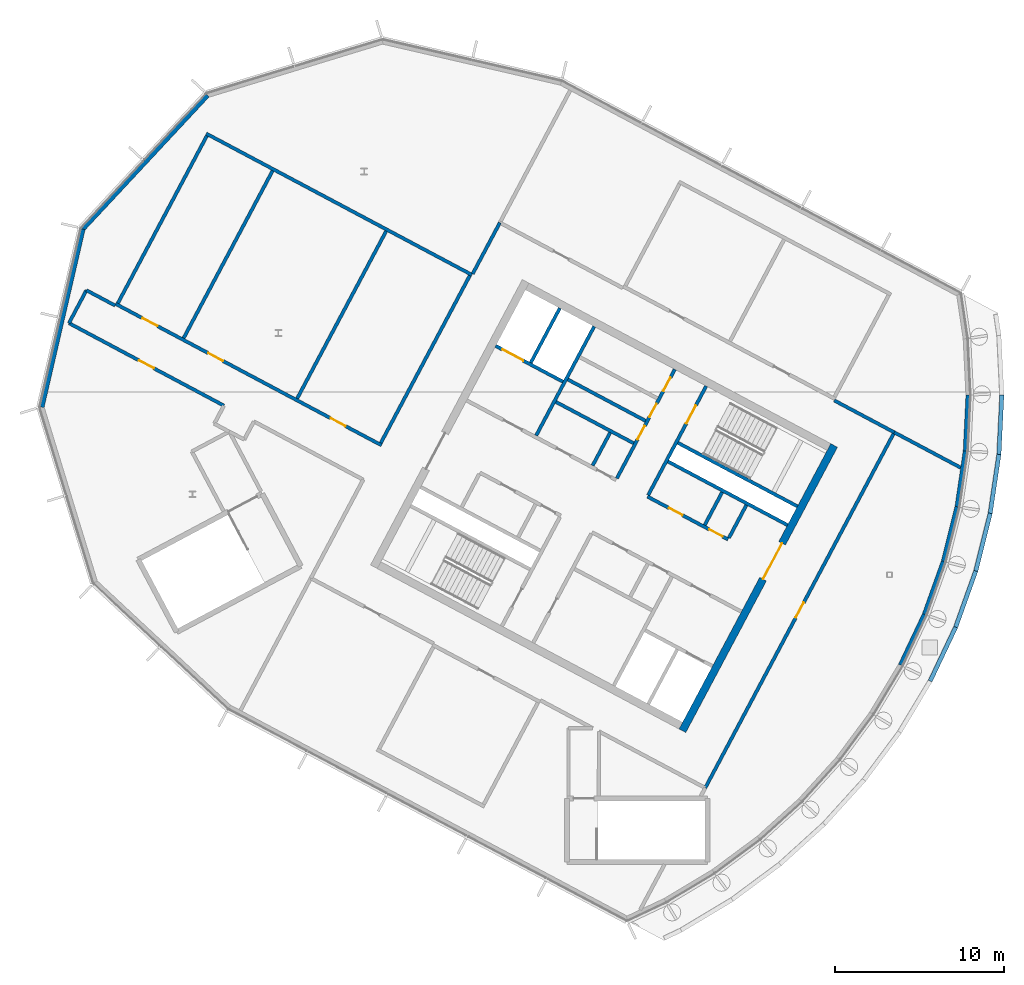
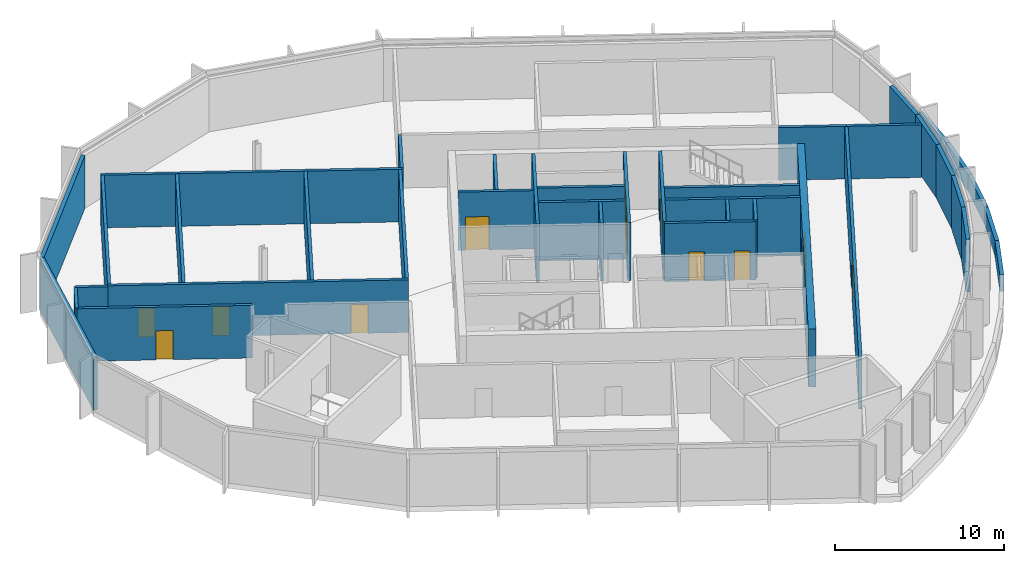
# One storey, part 7 of 13: 39 walls, 13 doors, 13 openings.
"""IFC4 building model written with IfcOpenShell, lengths in metres."""

from ifc_helpers import new_model, si_unit, direction, frame, frame_2d, origin, place, context, subcontext, project, spatial, rectangle, extrude, material, layer, layer_set, type_object, element, fill, save


model = new_model("IFC4")

# Units and contexts
model_context = context("Model", 3, precision=1e-05, world=origin(), true_north=direction((0.0, 1.0)))
body_context = subcontext(model_context, "Body", "Model", "MODEL_VIEW")
ifc_project = project(units=[si_unit("LENGTHUNIT", "METRE"), si_unit("AREAUNIT", "SQUARE_METRE"), si_unit("VOLUMEUNIT", "CUBIC_METRE"), si_unit("PLANEANGLEUNIT", "RADIAN"), si_unit("MASSUNIT", "GRAM", prefix="KILO")], contexts=[model_context])

# Site, building, storey
site_placement = place(None, origin())
site = spatial("IfcSite", under=ifc_project, at=site_placement, CompositionType="ELEMENT")
building_placement = place(site_placement, origin())
building = spatial("IfcBuilding", under=site, at=building_placement, Name="Cormorant Relay Tower", CompositionType="ELEMENT")
storey_placement = place(building_placement, frame((0.0, 0.0, 353.39990234375)))
storey = spatial("IfcBuildingStorey", under=building, at=storey_placement, Name="C7", CompositionType="ELEMENT", Elevation=353.39990234375)

# Walls
ifc_material_1 = material(Name="Concrete 40 MPa", Category="concrete")
ifc_layer_1 = layer(ifc_material_1, 0.199951171875)
ifc_layer_set_1 = layer_set([ifc_layer_1], Name="Core internal wall 200")
wall_type_1 = type_object("IfcWallType", Name="Core internal wall 200", PredefinedType="SOLIDWALL", material=ifc_layer_set_1)
for number, where, z_axis, x_axis, name in (
    (1, (-20.39013671875, 15.371826171875, 0.0), (0.0, 0.0, 1.0), (-0.4694473164, -0.882960484464, 0.0), "C7 core A shaft and room wall"),
    (2, (-27.01220703125, 18.892822265625, 0.0), (0.0, 0.0, 1.0), (-0.4694473164, -0.882960484464, 0.0), "C7 core A shaft and room wall"),
):
    element("IfcWall", number, at=place(storey_placement, frame(where, z_axis=z_axis, x_axis=x_axis)), inside=storey, type_object=wall_type_1, Name=name, PredefinedType="SOLIDWALL", context=body_context, shape_type="SweptSolid", body=[
        extrude(rectangle(XDim=2.199951171875, YDim=0.199951171875, at=frame_2d((1.10009765625, 0.0))), origin(), (0.0, 0.0, 1.0), 4.2001953125),
    ])
wall_1_placement = place(storey_placement, frame((-24.9189453125, 19.592041015625, 0.0), z_axis=(0.0, 0.0, 1.0), x_axis=(-0.882953967957, 0.469459572775, 0.0)))
element("IfcWall", 3, at=wall_1_placement, inside=storey, type_object=wall_type_1, Name="C7 core A shaft and room wall", PredefinedType="SOLIDWALL", context=body_context, shape_type="SweptSolid", body=[
    extrude(rectangle(XDim=5.199951171875, YDim=0.199951171875, at=frame_2d((2.60009765625, 0.0))), origin(), (0.0, 0.0, 1.0), 4.2001953125),
])
ifc_material_2 = material(Name="Concrete 50 MPa", Category="concrete")
ifc_layer_2 = layer(ifc_material_2, 0.199951171875)
ifc_layer_set_2 = layer_set([ifc_layer_2], Name="Core shaft wall 200")
wall_type_2 = type_object("IfcWallType", Name="Core shaft wall 200", PredefinedType="SHEAR", material=ifc_layer_set_2)
wall_2_placement = place(storey_placement, frame((-18.959716796875, 14.611328125, 0.0), z_axis=(0.0, 0.0, 1.0), x_axis=(-0.4694473164, -0.882960484464, 0.0)))
element("IfcWall", 4, at=wall_2_placement, inside=storey, type_object=wall_type_2, Name="C7 core A shaft wall", PredefinedType="SHEAR", context=body_context, shape_type="SweptSolid", body=[
    extrude(rectangle(XDim=2.199951171875, YDim=0.199951171875, at=frame_2d((1.10009765625, 0.0))), origin(), (0.0, 0.0, 1.0), 4.2001953125),
])

# Wall, opening, door
wall_3_placement = place(storey_placement, frame((-21.333251953125, 21.6494140625, 0.0), z_axis=(0.0, 0.0, 1.0), x_axis=(-0.469494272526, -0.882935517501, 0.0)))
wall_3 = element("IfcWall", 5, at=wall_3_placement, inside=storey, type_object=wall_type_2, Name="C7 core A shaft wall", PredefinedType="SHEAR", context=body_context, shape_type="SweptSolid", body=[
    extrude(rectangle(XDim=7.2998046875, YDim=0.199951171875, at=frame_2d((3.64990234375, 0.0))), origin(), (0.0, 0.0, 1.0), 4.2001953125),
])
opening_1_placement = place(wall_3_placement, frame((1.300048828125, 0.0, 0.0)))
opening_1 = element("IfcOpeningElement", 6, at=opening_1_placement, cuts=wall_3, Name="Opening CDB-044", PredefinedType="OPENING", context=body_context, shape_type="SweptSolid", body=[
    extrude(rectangle(XDim=1.199951171875, YDim=2.10009765625, at=frame_2d((0.60009765625, 1.050048828125))), frame((0.0, 0.10986328125, 0.0), z_axis=(0.0, -1.0, 0.0), x_axis=(1.0, 0.0, 0.0)), (0.0, 0.0, 1.0), 0.219970703125),
])
ifc_material_3 = material(Name="Steel fire door", Category="steel")
door_type_1 = type_object("IfcDoorType", Name="Core stair door 1200x2100", OperationType="SINGLE_SWING_LEFT", PredefinedType="DOOR", material=ifc_material_3)
door_1_placement = place(opening_1_placement, origin())
door_1 = element("IfcDoor", 7, at=door_1_placement, inside=storey, type_object=door_type_1, Name="Core stair door 1200x2100", OperationType="SINGLE_SWING_RIGHT", OverallHeight=2.10009765625, OverallWidth=1.199951171875, PredefinedType="DOOR", context=body_context, shape_type="SweptSolid", body=[
    extrude(rectangle(XDim=1.199951171875, YDim=2.10009765625, at=frame_2d((0.60009765625, 1.050048828125))), frame((0.0, 0.02490234375, 0.0), z_axis=(0.0, -1.0, 0.0), x_axis=(1.0, 0.0, 0.0)), (0.0, 0.0, 1.0), 0.050048828125),
])
fill(opening_1, door_1)

# Wall, openings, doors
wall_4_placement = place(storey_placement, frame((-23.1875, 22.635498046875, 0.0), z_axis=(0.0, 0.0, 1.0), x_axis=(-0.469454336211, -0.882956752176, 0.0)))
wall_4 = element("IfcWall", 8, at=wall_4_placement, inside=storey, type_object=wall_type_2, Name="C7 core A shaft wall", PredefinedType="SHEAR", context=body_context, shape_type="SweptSolid", body=[
    extrude(rectangle(XDim=7.300048828125, YDim=0.199951171875, at=frame_2d((3.64990234375, 0.0))), origin(), (0.0, 0.0, 1.0), 4.2001953125),
])
opening_2_placement = place(wall_4_placement, frame((0.550048828125, 0.0, 0.0)))
opening_2 = element("IfcOpeningElement", 9, at=opening_2_placement, cuts=wall_4, Name="Opening CDD-360", PredefinedType="OPENING", context=body_context, shape_type="SweptSolid", body=[
    extrude(rectangle(XDim=0.89990234375, YDim=2.10009765625, at=frame_2d((0.449951171875, 1.050048828125))), frame((0.0, 0.10986328125, 0.0), z_axis=(0.0, -1.0, 0.0), x_axis=(1.0, 0.0, 0.0)), (0.0, 0.0, 1.0), 0.219970703125),
])
opening_3_placement = place(wall_4_placement, frame((2.300048828125, 0.0, 0.0)))
opening_3 = element("IfcOpeningElement", 10, at=opening_3_placement, cuts=wall_4, Name="Opening CDD-361", PredefinedType="OPENING", context=body_context, shape_type="SweptSolid", body=[
    extrude(rectangle(XDim=0.89990234375, YDim=2.10009765625, at=frame_2d((0.449951171875, 1.050048828125))), frame((0.0, 0.10986328125, 0.0), z_axis=(0.0, -1.0, 0.0), x_axis=(1.0, 0.0, 0.0)), (0.0, 0.0, 1.0), 0.219970703125),
])
opening_4_placement = place(wall_4_placement, frame((3.800048828125, 0.0, 0.0)))
opening_4 = element("IfcOpeningElement", 11, at=opening_4_placement, cuts=wall_4, Name="Opening CDD-362", PredefinedType="OPENING", context=body_context, shape_type="SweptSolid", body=[
    extrude(rectangle(XDim=0.89990234375, YDim=2.10009765625, at=frame_2d((0.449951171875, 1.050048828125))), frame((0.0, 0.10986328125, 0.0), z_axis=(0.0, -1.0, 0.0), x_axis=(1.0, 0.0, 0.0)), (0.0, 0.0, 1.0), 0.219970703125),
])
ifc_material_4 = material(Name="Steel fire door", Category="steel")
door_type_2 = type_object("IfcDoorType", Name="Core room door 900x2100", OperationType="SINGLE_SWING_LEFT", PredefinedType="DOOR", material=ifc_material_4)
door_2_placement = place(opening_2_placement, frame((0.89990234375, 0.0, 0.0), z_axis=(0.0, 0.0, 1.0), x_axis=(-1.0, 0.0, 0.0)))
door_2 = element("IfcDoor", 12, at=door_2_placement, inside=storey, type_object=door_type_2, Name="Core room door 900x2100", OperationType="SINGLE_SWING_LEFT", OverallHeight=2.10009765625, OverallWidth=0.89990234375, PredefinedType="DOOR", context=body_context, shape_type="SweptSolid", body=[
    extrude(rectangle(XDim=0.89990234375, YDim=2.10009765625, at=frame_2d((0.449951171875, 1.050048828125))), frame((0.0, 0.02490234375, 0.0), z_axis=(0.0, -1.0, 0.0), x_axis=(1.0, 0.0, 0.0)), (0.0, 0.0, 1.0), 0.050048828125),
])
fill(opening_2, door_2)
door_3_placement = place(opening_3_placement, frame((0.89990234375, 0.0, 0.0), z_axis=(0.0, 0.0, 1.0), x_axis=(-1.0, 0.0, 0.0)))
door_3 = element("IfcDoor", 13, at=door_3_placement, inside=storey, type_object=door_type_2, Name="Core room door 900x2100", OperationType="SINGLE_SWING_RIGHT", OverallHeight=2.10009765625, OverallWidth=0.89990234375, PredefinedType="DOOR", context=body_context, shape_type="SweptSolid", body=[
    extrude(rectangle(XDim=0.89990234375, YDim=2.10009765625, at=frame_2d((0.449951171875, 1.050048828125))), frame((0.0, 0.02490234375, 0.0), z_axis=(0.0, -1.0, 0.0), x_axis=(1.0, 0.0, 0.0)), (0.0, 0.0, 1.0), 0.050048828125),
])
fill(opening_3, door_3)
door_4_placement = place(opening_4_placement, origin())
door_4 = element("IfcDoor", 14, at=door_4_placement, inside=storey, type_object=door_type_2, Name="Core room door 900x2100", OperationType="SINGLE_SWING_LEFT", OverallHeight=2.10009765625, OverallWidth=0.89990234375, PredefinedType="DOOR", context=body_context, shape_type="SweptSolid", body=[
    extrude(rectangle(XDim=0.89990234375, YDim=2.10009765625, at=frame_2d((0.449951171875, 1.050048828125))), frame((0.0, 0.02490234375, 0.0), z_axis=(0.0, -1.0, 0.0), x_axis=(1.0, 0.0, 0.0)), (0.0, 0.0, 1.0), 0.050048828125),
])
fill(opening_4, door_4)

# Walls
wall_5_placement = place(storey_placement, frame((-27.955322265625, 25.170654296875, 0.0), z_axis=(0.0, 0.0, 1.0), x_axis=(-0.469480409012, -0.88294288918, 0.0)))
element("IfcWall", 15, at=wall_5_placement, inside=storey, type_object=wall_type_2, Name="C7 core A shaft wall", PredefinedType="SHEAR", context=body_context, shape_type="SweptSolid", body=[
    extrude(rectangle(XDim=7.300048828125, YDim=0.199951171875, at=frame_2d((3.64990234375, 0.0))), origin(), (0.0, 0.0, 1.0), 4.2001953125),
])
wall_6_placement = place(storey_placement, frame((-29.986083984375, 26.250244140625, 0.0), z_axis=(0.0, 0.0, 1.0), x_axis=(-0.469494272526, -0.882935517501, 0.0)))
element("IfcWall", 16, at=wall_6_placement, inside=storey, type_object=wall_type_2, Name="C7 core A shaft wall", PredefinedType="SHEAR", context=body_context, shape_type="SweptSolid", body=[
    extrude(rectangle(XDim=3.64990234375, YDim=0.199951171875, at=frame_2d((1.824951171875, 0.0))), origin(), (0.0, 0.0, 1.0), 4.2001953125),
])
wall_7_placement = place(storey_placement, frame((-15.94189453125, 14.53564453125, 0.0), z_axis=(0.0, 0.0, 1.0), x_axis=(-0.882946947542, 0.469472776449, 0.0)))
element("IfcWall", 17, at=wall_7_placement, inside=storey, type_object=wall_type_2, Name="C7 core A shaft wall", PredefinedType="SHEAR", context=body_context, shape_type="SweptSolid", body=[
    extrude(rectangle(XDim=8.000244140625, YDim=0.199951171875, at=frame_2d((4.0, 0.0))), origin(), (0.0, 0.0, 1.0), 4.2001953125),
])

# Wall, opening, door
wall_8_placement = place(storey_placement, frame((-29.80419921875, 21.906494140625, 0.0), z_axis=(0.0, 0.0, 1.0), x_axis=(-0.882960433586, 0.469447412093, 0.0)))
wall_8 = element("IfcWall", 18, at=wall_8_placement, inside=storey, type_object=wall_type_2, Name="C7 core A shaft wall", PredefinedType="SHEAR", context=body_context, shape_type="SweptSolid", body=[
    extrude(rectangle(XDim=4.5, YDim=0.199951171875, at=frame_2d((2.25, 0.0))), origin(), (0.0, 0.0, 1.0), 4.2001953125),
])
opening_5_placement = place(wall_8_placement, frame((2.64990234375, 0.0, 0.0)))
opening_5 = element("IfcOpeningElement", 19, at=opening_5_placement, cuts=wall_8, Name="Opening LD3-017", PredefinedType="OPENING", context=body_context, shape_type="SweptSolid", body=[
    extrude(rectangle(XDim=1.39990234375, YDim=2.39990234375, at=frame_2d((0.699951171875, 1.199951171875))), frame((0.0, 0.10986328125, 0.0), z_axis=(0.0, -1.0, 0.0), x_axis=(1.0, 0.0, 0.0)), (0.0, 0.0, 1.0), 0.219970703125),
])
ifc_material_5 = material(Name="Stainless steel 316", Category="steel")
door_type_3 = type_object("IfcDoorType", Name="Lift landing door 1400x2400", OperationType="DOUBLE_DOOR_SLIDING", PredefinedType="DOOR", material=ifc_material_5)
door_5_placement = place(opening_5_placement, origin())
door_5 = element("IfcDoor", 20, at=door_5_placement, inside=storey, type_object=door_type_3, Name="SV1 landing door", OperationType="DOUBLE_DOOR_SLIDING", OverallHeight=2.39990234375, OverallWidth=1.39990234375, PredefinedType="DOOR", context=body_context, shape_type="SweptSolid", body=[
    extrude(rectangle(XDim=1.39990234375, YDim=2.39990234375, at=frame_2d((0.699951171875, 1.199951171875))), frame((0.0, 0.02490234375, 0.0), z_axis=(0.0, -1.0, 0.0), x_axis=(1.0, 0.0, 0.0)), (0.0, 0.0, 1.0), 0.050048828125),
])
fill(opening_5, door_5)

# Walls
wall_9_placement = place(storey_placement, frame((-16.52880859375, 13.43212890625, 0.0), z_axis=(0.0, 0.0, 1.0), x_axis=(-0.88295287151, 0.469461634952, 0.0)))
element("IfcWall", 21, at=wall_9_placement, inside=storey, type_object=wall_type_2, Name="C7 core A shaft wall", PredefinedType="SHEAR", context=body_context, shape_type="SweptSolid", body=[
    extrude(rectangle(XDim=7.999755859375, YDim=0.199951171875, at=frame_2d((4.0, 0.0))), origin(), (0.0, 0.0, 1.0), 4.2001953125),
])
wall_10_placement = place(storey_placement, frame((-25.623046875, 18.267578125, 0.0), z_axis=(0.0, 0.0, 1.0), x_axis=(-0.882953967957, 0.469459572775, 0.0)))
element("IfcWall", 22, at=wall_10_placement, inside=storey, type_object=wall_type_2, Name="C7 core A shaft wall", PredefinedType="SHEAR", context=body_context, shape_type="SweptSolid", body=[
    extrude(rectangle(XDim=5.199951171875, YDim=0.199951171875, at=frame_2d((2.60009765625, 0.0))), origin(), (0.0, 0.0, 1.0), 4.2001953125),
])

# Wall, openings, doors
wall_11_placement = place(storey_placement, frame((-20.03955078125, 12.58056640625, 0.0), z_axis=(0.0, 0.0, 1.0), x_axis=(-0.882942972946, 0.469480251476, 0.0)))
wall_11 = element("IfcWall", 23, at=wall_11_placement, inside=storey, type_object=wall_type_2, Name="C7 core A shaft wall", PredefinedType="SHEAR", context=body_context, shape_type="SweptSolid", body=[
    extrude(rectangle(XDim=5.39990234375, YDim=0.199951171875, at=frame_2d((2.699951171875, 0.0))), origin(), (0.0, 0.0, 1.0), 4.2001953125),
])
opening_6_placement = place(wall_11_placement, frame((0.360107421875, 0.0, 0.0)))
opening_6 = element("IfcOpeningElement", 24, at=opening_6_placement, cuts=wall_11, Name="Opening CDD-356", PredefinedType="OPENING", context=body_context, shape_type="SweptSolid", body=[
    extrude(rectangle(XDim=0.89990234375, YDim=2.10009765625, at=frame_2d((0.449951171875, 1.050048828125))), frame((0.0, 0.10986328125, 0.0), z_axis=(0.0, -1.0, 0.0), x_axis=(1.0, 0.0, 0.0)), (0.0, 0.0, 1.0), 0.219970703125),
])
opening_7_placement = place(wall_11_placement, frame((3.06005859375, 0.0, 0.0)))
opening_7 = element("IfcOpeningElement", 25, at=opening_7_placement, cuts=wall_11, Name="Opening CDD-357", PredefinedType="OPENING", context=body_context, shape_type="SweptSolid", body=[
    extrude(rectangle(XDim=0.89990234375, YDim=2.10009765625, at=frame_2d((0.449951171875, 1.050048828125))), frame((0.0, 0.10986328125, 0.0), z_axis=(0.0, -1.0, 0.0), x_axis=(1.0, 0.0, 0.0)), (0.0, 0.0, 1.0), 0.219970703125),
])
door_6_placement = place(opening_6_placement, frame((0.89990234375, 0.0, 0.0), z_axis=(0.0, 0.0, 1.0), x_axis=(-1.0, 0.0, 0.0)))
door_6 = element("IfcDoor", 26, at=door_6_placement, inside=storey, type_object=door_type_2, Name="Core room door 900x2100", OperationType="SINGLE_SWING_RIGHT", OverallHeight=2.10009765625, OverallWidth=0.89990234375, PredefinedType="DOOR", context=body_context, shape_type="SweptSolid", body=[
    extrude(rectangle(XDim=0.89990234375, YDim=2.10009765625, at=frame_2d((0.449951171875, 1.050048828125))), frame((0.0, 0.02490234375, 0.0), z_axis=(0.0, -1.0, 0.0), x_axis=(1.0, 0.0, 0.0)), (0.0, 0.0, 1.0), 0.050048828125),
])
fill(opening_6, door_6)
door_7_placement = place(opening_7_placement, frame((0.89990234375, 0.0, 0.0), z_axis=(0.0, 0.0, 1.0), x_axis=(-1.0, 0.0, 0.0)))
door_7 = element("IfcDoor", 27, at=door_7_placement, inside=storey, type_object=door_type_2, Name="Core room door 900x2100", OperationType="SINGLE_SWING_RIGHT", OverallHeight=2.10009765625, OverallWidth=0.89990234375, PredefinedType="DOOR", context=body_context, shape_type="SweptSolid", body=[
    extrude(rectangle(XDim=0.89990234375, YDim=2.10009765625, at=frame_2d((0.449951171875, 1.050048828125))), frame((0.0, 0.02490234375, 0.0), z_axis=(0.0, -1.0, 0.0), x_axis=(1.0, 0.0, 0.0)), (0.0, 0.0, 1.0), 0.050048828125),
])
fill(opening_7, door_7)

# Wall, opening, door
ifc_material_6 = material(Name="Concrete 50 MPa", Category="concrete")
ifc_layer_3 = layer(ifc_material_6, 0.449951171875)
ifc_layer_set_3 = layer_set([ifc_layer_3], Name="Core wall 450")
wall_type_3 = type_object("IfcWallType", Name="Core wall 450", PredefinedType="SHEAR", material=ifc_layer_set_3)
wall_12_placement = place(storey_placement, frame((-13.771484375, 18.138427734375, 0.0), z_axis=(0.0, 0.0, 1.0), x_axis=(-0.469467968382, -0.882949504028, 0.0)))
wall_12 = element("IfcWall", 28, at=wall_12_placement, inside=storey, type_object=wall_type_3, Name="C7 core A wall", PredefinedType="SHEAR", context=body_context, shape_type="SweptSolid", body=[
    extrude(rectangle(XDim=19.099853515625, YDim=0.449951171875, at=frame_2d((9.5498046875, 0.0))), origin(), (0.0, 0.0, 1.0), 4.2001953125),
])
opening_8_placement = place(wall_12_placement, frame((6.550048828125, 0.0, 0.0)))
opening_8 = element("IfcOpeningElement", 29, at=opening_8_placement, cuts=wall_12, Name="Opening CDA-058", PredefinedType="OPENING", context=body_context, shape_type="SweptSolid", body=[
    extrude(rectangle(XDim=2.39990234375, YDim=2.39990234375, at=frame_2d((1.199951171875, 1.199951171875))), frame((0.0, 0.23486328125, 0.0), z_axis=(0.0, -1.0, 0.0), x_axis=(1.0, 0.0, 0.0)), (0.0, 0.0, 1.0), 0.469970703125),
])
ifc_material_7 = material(Name="Steel fire door", Category="steel")
door_type_4 = type_object("IfcDoorType", Name="Core lobby door 2400x2400", OperationType="DOUBLE_DOOR_SINGLE_SWING", PredefinedType="DOOR", material=ifc_material_7)
door_8_placement = place(opening_8_placement, frame((2.39990234375, 0.0, 0.0), z_axis=(0.0, 0.0, 1.0), x_axis=(-1.0, 0.0, 0.0)))
door_8 = element("IfcDoor", 30, at=door_8_placement, inside=storey, type_object=door_type_4, Name="Core lobby door 2400x2400", OperationType="DOUBLE_DOOR_SINGLE_SWING", OverallHeight=2.39990234375, OverallWidth=2.39990234375, PredefinedType="DOOR", context=body_context, shape_type="SweptSolid", body=[
    extrude(rectangle(XDim=2.39990234375, YDim=2.39990234375, at=frame_2d((1.199951171875, 1.199951171875))), frame((0.0, 0.02490234375, 0.0), z_axis=(0.0, -1.0, 0.0), x_axis=(1.0, 0.0, 0.0)), (0.0, 0.0, 1.0), 0.050048828125),
])
fill(opening_8, door_8)

# Wall
ifc_material_8 = material(Name="Concrete 30 MPa block wall", Category="concrete")
ifc_layer_4 = layer(ifc_material_8, 0.199951171875)
ifc_layer_set_4 = layer_set([ifc_layer_4], Name="Crown plant room wall 200")
wall_type_4 = type_object("IfcWallType", Name="Crown plant room wall 200", PredefinedType="PARTITIONING", material=ifc_layer_set_4)
wall_13_placement = place(storey_placement, frame((-35.1708984375, 28.21435546875, 0.0), z_axis=(0.0, 0.0, 1.0), x_axis=(-0.882952110828, 0.469463065622, 0.0)))
element("IfcWall", 31, at=wall_13_placement, inside=storey, type_object=wall_type_4, Name="Plant room wall", PredefinedType="PARTITIONING", context=body_context, shape_type="SweptSolid", body=[
    extrude(rectangle(XDim=17.800048828125, YDim=0.199951171875, at=frame_2d((8.89990234375, 0.0))), origin(), (0.0, 0.0, 1.0), 3.7998046875),
])

# Wall, openings, doors
wall_14_placement = place(storey_placement, frame((-40.52294921875, 18.148681640625, 0.0), z_axis=(0.0, 0.0, 1.0), x_axis=(-0.882946425434, 0.469473758387, 0.0)))
wall_14 = element("IfcWall", 32, at=wall_14_placement, inside=storey, type_object=wall_type_4, Name="Plant room wall", PredefinedType="PARTITIONING", context=body_context, shape_type="SweptSolid", body=[
    extrude(rectangle(XDim=17.800048828125, YDim=0.199951171875, at=frame_2d((8.89990234375, 0.0))), origin(), (0.0, 0.0, 1.0), 3.7998046875),
])
opening_9_placement = place(wall_14_placement, frame((2.39990234375, 0.0, 0.0)))
opening_9 = element("IfcOpeningElement", 33, at=opening_9_placement, cuts=wall_14, Name="Opening CRD1-003", PredefinedType="OPENING", context=body_context, shape_type="SweptSolid", body=[
    extrude(rectangle(XDim=1.0, YDim=2.10009765625, at=frame_2d((0.5, 1.050048828125))), frame((0.0, 0.10986328125, 0.0), z_axis=(0.0, -1.0, 0.0), x_axis=(1.0, 0.0, 0.0)), (0.0, 0.0, 1.0), 0.219970703125),
])
opening_10_placement = place(wall_14_placement, frame((10.60009765625, 0.0, 0.0)))
opening_10 = element("IfcOpeningElement", 34, at=opening_10_placement, cuts=wall_14, Name="Opening CRD1-004", PredefinedType="OPENING", context=body_context, shape_type="SweptSolid", body=[
    extrude(rectangle(XDim=1.0, YDim=2.10009765625, at=frame_2d((0.5, 1.050048828125))), frame((0.0, 0.10986328125, 0.0), z_axis=(0.0, -1.0, 0.0), x_axis=(1.0, 0.0, 0.0)), (0.0, 0.0, 1.0), 0.219970703125),
])
opening_11_placement = place(wall_14_placement, frame((15.0, 0.0, 0.0)))
opening_11 = element("IfcOpeningElement", 35, at=opening_11_placement, cuts=wall_14, Name="Opening CRD1-005", PredefinedType="OPENING", context=body_context, shape_type="SweptSolid", body=[
    extrude(rectangle(XDim=1.0, YDim=2.10009765625, at=frame_2d((0.5, 1.050048828125))), frame((0.0, 0.10986328125, 0.0), z_axis=(0.0, -1.0, 0.0), x_axis=(1.0, 0.0, 0.0)), (0.0, 0.0, 1.0), 0.219970703125),
])
ifc_material_9 = material(Name="Galvanised sheet steel ASTM A653 framed door leaf", Category="steel")
door_type_5 = type_object("IfcDoorType", Name="Crown door single 1000", OperationType="SINGLE_SWING_LEFT", PredefinedType="DOOR", material=ifc_material_9)
door_9_placement = place(opening_9_placement, frame((1.0, 0.0, 0.0), z_axis=(0.0, 0.0, 1.0), x_axis=(-1.0, 0.0, 0.0)))
door_9 = element("IfcDoor", 36, at=door_9_placement, inside=storey, type_object=door_type_5, Name="Antenna feeder room door", OperationType="SINGLE_SWING_RIGHT", OverallHeight=2.10009765625, OverallWidth=1.0, PredefinedType="DOOR", context=body_context, shape_type="SweptSolid", body=[
    extrude(rectangle(XDim=1.0, YDim=2.10009765625, at=frame_2d((0.5, 1.050048828125))), frame((0.0, 0.02490234375, 0.0), z_axis=(0.0, -1.0, 0.0), x_axis=(1.0, 0.0, 0.0)), (0.0, 0.0, 1.0), 0.050048828125),
])
fill(opening_9, door_9)
door_10_placement = place(opening_10_placement, frame((1.0, 0.0, 0.0), z_axis=(0.0, 0.0, 1.0), x_axis=(-1.0, 0.0, 0.0)))
door_10 = element("IfcDoor", 37, at=door_10_placement, inside=storey, type_object=door_type_5, Name="Antenna base room door", OperationType="SINGLE_SWING_RIGHT", OverallHeight=2.10009765625, OverallWidth=1.0, PredefinedType="DOOR", context=body_context, shape_type="SweptSolid", body=[
    extrude(rectangle(XDim=1.0, YDim=2.10009765625, at=frame_2d((0.5, 1.050048828125))), frame((0.0, 0.02490234375, 0.0), z_axis=(0.0, -1.0, 0.0), x_axis=(1.0, 0.0, 0.0)), (0.0, 0.0, 1.0), 0.050048828125),
])
fill(opening_10, door_10)
door_11_placement = place(opening_11_placement, frame((1.0, 0.0, 0.0), z_axis=(0.0, 0.0, 1.0), x_axis=(-1.0, 0.0, 0.0)))
door_11 = element("IfcDoor", 38, at=door_11_placement, inside=storey, type_object=door_type_5, Name="Radio frequency room door", OperationType="SINGLE_SWING_RIGHT", OverallHeight=2.10009765625, OverallWidth=1.0, PredefinedType="DOOR", context=body_context, shape_type="SweptSolid", body=[
    extrude(rectangle(XDim=1.0, YDim=2.10009765625, at=frame_2d((0.5, 1.050048828125))), frame((0.0, 0.02490234375, 0.0), z_axis=(0.0, -1.0, 0.0), x_axis=(1.0, 0.0, 0.0)), (0.0, 0.0, 1.0), 0.050048828125),
])
fill(opening_11, door_11)

# Walls
for number, where, z_axis, x_axis, name in (
    (39, (-35.306396484375, 28.173095703125, 0.0), (0.0, 0.0, 1.0), (-0.469447393298, -0.882960443579, 0.0), "Plant room wall"),
    (40, (-40.250732421875, 30.802001953125, 0.0), (0.0, 0.0, 1.0), (-0.469473423128, -0.882946603695, 0.0), "Plant room wall"),
):
    element("IfcWall", number, at=place(storey_placement, frame(where, z_axis=z_axis, x_axis=x_axis)), inside=storey, type_object=wall_type_4, Name=name, PredefinedType="PARTITIONING", context=body_context, shape_type="SweptSolid", body=[
        extrude(rectangle(XDim=11.199951171875, YDim=0.199951171875, at=frame_2d((5.60009765625, 0.0))), origin(), (0.0, 0.0, 1.0), 3.7998046875),
    ])
for number, where, z_axis, x_axis, name in (
    (41, (-46.961181640625, 34.3701171875, 0.0), (0.0, 0.0, 1.0), (-0.46946438738, -0.882951408052, 0.0), "Plant room wall"),
    (42, (-50.84619140625, 36.435791015625, 0.0), (0.0, 0.0, 1.0), (-0.46946438738, -0.882951408052, 0.0), "Plant room wall"),
):
    element("IfcWall", number, at=place(storey_placement, frame(where, z_axis=z_axis, x_axis=x_axis)), inside=storey, type_object=wall_type_4, Name=name, PredefinedType="PARTITIONING", context=body_context, shape_type="SweptSolid", body=[
        extrude(rectangle(XDim=11.2001953125, YDim=0.199951171875, at=frame_2d((5.60009765625, 0.0))), origin(), (0.0, 0.0, 1.0), 3.7998046875),
    ])
wall_15_placement = place(storey_placement, frame((-57.964111328125, 27.30908203125, 0.0), z_axis=(0.0, 0.0, 1.0), x_axis=(0.882957622595, -0.46945269911, 0.0)))
element("IfcWall", 43, at=wall_15_placement, inside=storey, type_object=wall_type_4, Name="Plant room wall", PredefinedType="PARTITIONING", context=body_context, shape_type="SweptSolid", body=[
    extrude(rectangle(XDim=1.919921875, YDim=0.199951171875, at=frame_2d((0.9599609375, 0.0))), origin(), (0.0, 0.0, 1.0), 3.7998046875),
])
wall_16_placement = place(storey_placement, frame((-35.13330078125, 28.284912109375, 0.0), z_axis=(0.0, 0.0, 1.0), x_axis=(0.469431829014, 0.882968718533, 0.0)))
element("IfcWall", 44, at=wall_16_placement, inside=storey, type_object=wall_type_4, Name="Plant room wall", PredefinedType="PARTITIONING", context=body_context, shape_type="SweptSolid", body=[
    extrude(rectangle(XDim=3.419921875, YDim=0.199951171875, at=frame_2d((1.7099609375, 0.0))), origin(), (0.0, 0.0, 1.0), 3.7998046875),
])

# Wall, opening, door
wall_17_placement = place(storey_placement, frame((-49.83740234375, 20.49169921875, 0.0), z_axis=(0.0, 0.0, 1.0), x_axis=(-0.882753842136, 0.469835773643, 0.0)))
wall_17 = element("IfcWall", 45, at=wall_17_placement, inside=storey, type_object=wall_type_4, Name="Plant room wall", PredefinedType="PARTITIONING", context=body_context, shape_type="SweptSolid", body=[
    extrude(rectangle(XDim=10.3759765625, YDim=0.199951171875, at=frame_2d((5.18798828125, 0.0))), origin(), (0.0, 0.0, 1.0), 3.7998046875),
])
opening_12_placement = place(wall_17_placement, frame((4.68798828125, 0.0, 0.0)))
opening_12 = element("IfcOpeningElement", 46, at=opening_12_placement, cuts=wall_17, Name="Opening CRD1-007", PredefinedType="OPENING", context=body_context, shape_type="SweptSolid", body=[
    extrude(rectangle(XDim=1.0, YDim=2.10009765625, at=frame_2d((0.5, 1.050048828125))), frame((0.0, 0.10986328125, 0.0), z_axis=(0.0, -1.0, 0.0), x_axis=(1.0, 0.0, 0.0)), (0.0, 0.0, 1.0), 0.219970703125),
])
door_12_placement = place(opening_12_placement, origin())
door_12 = element("IfcDoor", 47, at=door_12_placement, inside=storey, type_object=door_type_5, Name="Equipment hall door", OperationType="SINGLE_SWING_LEFT", OverallHeight=2.10009765625, OverallWidth=1.0, PredefinedType="DOOR", context=body_context, shape_type="SweptSolid", body=[
    extrude(rectangle(XDim=1.0, YDim=2.10009765625, at=frame_2d((0.5, 1.050048828125))), frame((0.0, 0.02490234375, 0.0), z_axis=(0.0, -1.0, 0.0), x_axis=(1.0, 0.0, 0.0)), (0.0, 0.0, 1.0), 0.050048828125),
])
fill(opening_12, door_12)

# Walls
wall_18_placement = place(storey_placement, frame((-58.996826171875, 25.36669921875, 0.0), z_axis=(0.0, 0.0, 1.0), x_axis=(0.4694473164, 0.882960484464, 0.0)))
element("IfcWall", 48, at=wall_18_placement, inside=storey, type_object=wall_type_4, Name="Plant room wall", PredefinedType="PARTITIONING", context=body_context, shape_type="SweptSolid", body=[
    extrude(rectangle(XDim=2.199951171875, YDim=0.199951171875, at=frame_2d((1.10009765625, 0.0))), origin(), (0.0, 0.0, 1.0), 3.7998046875),
])
wall_19_placement = place(storey_placement, frame((-13.767578125, 20.7978515625, 0.0), z_axis=(0.0, 0.0, 1.0), x_axis=(0.882960769226, -0.469446780805, 0.0)))
element("IfcWall", 49, at=wall_19_placement, inside=storey, type_object=wall_type_4, Name="Plant room wall", PredefinedType="PARTITIONING", context=body_context, shape_type="SweptSolid", body=[
    extrude(rectangle(XDim=4.02001953125, YDim=0.199951171875, at=frame_2d((2.010009765625, 0.0))), origin(), (0.0, 0.0, 1.0), 3.7998046875),
])

# Wall, opening, door
wall_20_placement = place(storey_placement, frame((-10.218017578125, 18.91064453125, 0.0), z_axis=(0.0, 0.0, 1.0), x_axis=(-0.469468702847, -0.882949113509, 0.0)))
wall_20 = element("IfcWall", 50, at=wall_20_placement, inside=storey, type_object=wall_type_4, Name="Plant room wall", PredefinedType="PARTITIONING", context=body_context, shape_type="SweptSolid", body=[
    extrude(rectangle(XDim=23.800048828125, YDim=0.199951171875, at=frame_2d((11.89990234375, 0.0))), origin(), (0.0, 0.0, 1.0), 3.7998046875),
])
opening_13_placement = place(wall_20_placement, frame((11.39990234375, 0.0, 0.0)))
opening_13 = element("IfcOpeningElement", 51, at=opening_13_placement, cuts=wall_20, Name="Opening CRD1-015", PredefinedType="OPENING", context=body_context, shape_type="SweptSolid", body=[
    extrude(rectangle(XDim=1.0, YDim=2.10009765625, at=frame_2d((0.5, 1.050048828125))), frame((0.0, 0.10986328125, 0.0), z_axis=(0.0, -1.0, 0.0), x_axis=(1.0, 0.0, 0.0)), (0.0, 0.0, 1.0), 0.219970703125),
])
door_13_placement = place(opening_13_placement, origin())
door_13 = element("IfcDoor", 52, at=door_13_placement, inside=storey, type_object=door_type_5, Name="Radio frequency room door", OperationType="SINGLE_SWING_LEFT", OverallHeight=2.10009765625, OverallWidth=1.0, PredefinedType="DOOR", context=body_context, shape_type="SweptSolid", body=[
    extrude(rectangle(XDim=1.0, YDim=2.10009765625, at=frame_2d((0.5, 1.050048828125))), frame((0.0, 0.02490234375, 0.0), z_axis=(0.0, -1.0, 0.0), x_axis=(1.0, 0.0, 0.0)), (0.0, 0.0, 1.0), 0.050048828125),
])
fill(opening_13, door_13)

# Walls
wall_21_placement = place(storey_placement, frame((-6.292724609375, 16.82470703125, 0.0), z_axis=(0.0, 0.0, 1.0), x_axis=(-0.883072522199, 0.469236529415, 0.0)))
element("IfcWall", 53, at=wall_21_placement, inside=storey, type_object=wall_type_4, Name="Plant room wall", PredefinedType="PARTITIONING", context=body_context, shape_type="SweptSolid", body=[
    extrude(rectangle(XDim=4.464111328125, YDim=0.199951171875, at=frame_2d((2.23193359375, 0.0))), origin(), (0.0, 0.0, 1.0), 3.7998046875),
])
ifc_material_10 = material(Name="Bronze cladding on Concrete 30 MPa block wall", Category="concrete")
ifc_layer_5 = layer(ifc_material_10, 0.25)
ifc_layer_set_5 = layer_set([ifc_layer_5], Name="Crown wall 250")
wall_type_5 = type_object("IfcWallType", Name="Crown wall 250", PredefinedType="STANDARD", material=ifc_layer_set_5)
for number, where, z_axis, x_axis, name in (
    (54, (-60.590576171875, 20.397705078125, 0.0), (0.0, 0.0, 1.0), (0.224943678254, 0.97437176766, 0.0), "Crown wall C7"),
    (55, (-58.160400390625, 30.92431640625, 0.0), (0.0, 0.0, 1.0), (0.681998532518, 0.731353540802, 0.0), "Crown wall C7"),
):
    element("IfcWall", number, at=place(storey_placement, frame(where, z_axis=z_axis, x_axis=x_axis)), inside=storey, type_object=wall_type_5, Name=name, PredefinedType="STANDARD", context=body_context, shape_type="SweptSolid", body=[
        extrude(rectangle(XDim=10.803466796875, YDim=0.25, at=frame_2d((5.40185546875, 0.0))), origin(), (0.0, 0.0, 1.0), 3.7998046875),
    ])
for number, where, z_axis, x_axis, name in (
    (56, (-5.85791015625, 21.126220703125, 0.0), (0.0, 0.0, 1.0), (-0.049058504826, -0.998795906632, 0.0), "Crown wall C7"),
    (57, (-6.02099609375, 17.805908203125, 0.0), (0.0, 0.0, 1.0), (-0.146734971714, -0.989175842849, 0.0), "Crown wall C7"),
    (58, (-6.5087890625, 14.517578125, 0.0), (0.0, 0.0, 1.0), (-0.242950341347, -0.970038726876, 0.0), "Crown wall C7"),
):
    element("IfcWall", number, at=place(storey_placement, frame(where, z_axis=z_axis, x_axis=x_axis)), inside=storey, type_object=wall_type_5, Name=name, PredefinedType="STANDARD", context=body_context, shape_type="SweptSolid", body=[
        extrude(rectangle(XDim=3.32421875, YDim=0.25, at=frame_2d((1.662109375, 0.0))), origin(), (0.0, 0.0, 1.0), 3.7998046875),
    ])
wall_22_placement = place(storey_placement, frame((-7.31640625, 11.29296875, 0.0), z_axis=(0.0, 0.0, 1.0), x_axis=(-0.336862044072, -0.941554015054, 0.0)))
element("IfcWall", 59, at=wall_22_placement, inside=storey, type_object=wall_type_5, Name="Crown wall C7", PredefinedType="STANDARD", context=body_context, shape_type="SweptSolid", body=[
    extrude(rectangle(XDim=3.324462890625, YDim=0.25, at=frame_2d((1.662109375, 0.0))), origin(), (0.0, 0.0, 1.0), 3.7998046875),
])
wall_23_placement = place(storey_placement, frame((-8.436279296875, 8.162841796875, 0.0), z_axis=(0.0, 0.0, 1.0), x_axis=(-0.427571692054, -0.903981442373, 0.0)))
element("IfcWall", 60, at=wall_23_placement, inside=storey, type_object=wall_type_5, Name="Crown wall C7", PredefinedType="STANDARD", context=body_context, shape_type="SweptSolid", body=[
    extrude(rectangle(XDim=3.32421875, YDim=0.25, at=frame_2d((1.662109375, 0.0))), origin(), (0.0, 0.0, 1.0), 3.7998046875),
])
ifc_material_11 = material(Name="Bronze cladding on Concrete 30 MPa block wall", Category="concrete")
ifc_layer_6 = layer(ifc_material_11, 0.25)
ifc_layer_set_6 = layer_set([ifc_layer_6], Name="Parapet 250")
wall_type_6 = type_object("IfcWallType", Name="Parapet 250", PredefinedType="PARAPET", material=ifc_layer_set_6)
for number, where, z_axis, x_axis, name in (
    (61, (-3.85791015625, 21.126220703125, 0.0), (0.0, 0.0, 1.0), (-0.049027964051, -0.998797406255, 0.0), "Terrace parapet C6"),
    (62, (-4.030517578125, 17.60986328125, 0.0), (0.0, 0.0, 1.0), (-0.14673966697, -0.98917514634, 0.0), "Terrace parapet C6"),
    (63, (-4.547119140625, 14.12744140625, 0.0), (0.0, 0.0, 1.0), (-0.242992473595, -0.970028173702, 0.0), "Terrace parapet C6"),
):
    element("IfcWall", number, at=place(storey_placement, frame(where, z_axis=z_axis, x_axis=x_axis)), inside=storey, type_object=wall_type_6, Name=name, PredefinedType="PARAPET", context=body_context, shape_type="SweptSolid", body=[
        extrude(rectangle(XDim=3.5205078125, YDim=0.25, at=frame_2d((1.76025390625, 0.0))), origin(), (0.0, 0.0, 1.0), 1.2001953125),
    ])
wall_24_placement = place(storey_placement, frame((-5.402587890625, 10.71240234375, 0.0), z_axis=(0.0, 0.0, 1.0), x_axis=(-0.336872266703, -0.941550357616, 0.0)))
element("IfcWall", 64, at=wall_24_placement, inside=storey, type_object=wall_type_6, Name="Terrace parapet C6", PredefinedType="PARAPET", context=body_context, shape_type="SweptSolid", body=[
    extrude(rectangle(XDim=3.520751953125, YDim=0.25, at=frame_2d((1.76025390625, 0.0))), origin(), (0.0, 0.0, 1.0), 1.2001953125),
])
wall_25_placement = place(storey_placement, frame((-6.588623046875, 7.3974609375, 0.0), z_axis=(0.0, 0.0, 1.0), x_axis=(-0.427522858241, -0.904004538529, 0.0)))
element("IfcWall", 65, at=wall_25_placement, inside=storey, type_object=wall_type_6, Name="Terrace parapet C6", PredefinedType="PARAPET", context=body_context, shape_type="SweptSolid", body=[
    extrude(rectangle(XDim=3.5205078125, YDim=0.25, at=frame_2d((1.76025390625, 0.0))), origin(), (0.0, 0.0, 1.0), 1.2001953125),
])

save(model, "model.ifc")
